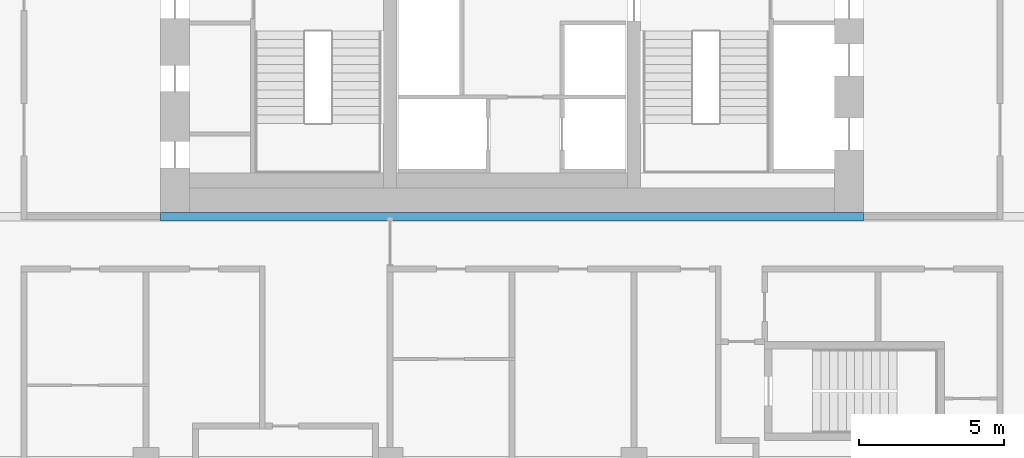
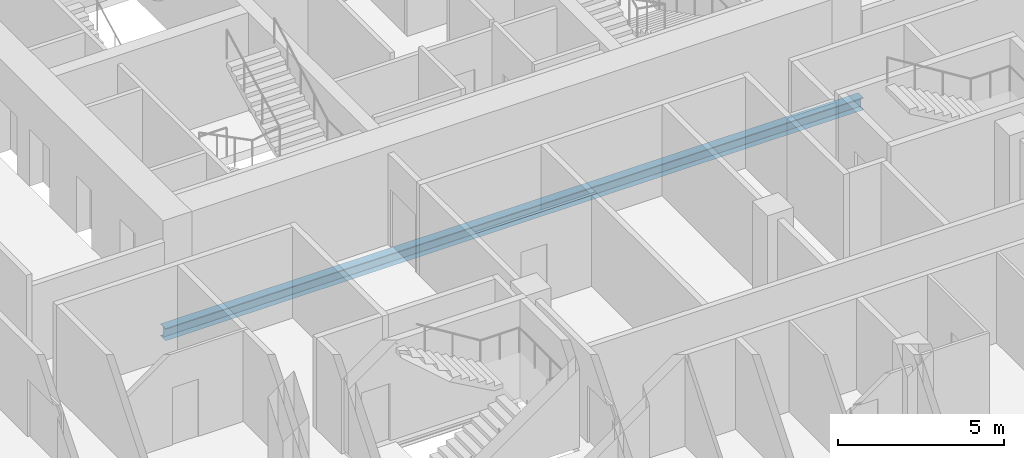
# One storey, part 5 of 23: 1 beam.
"""IFC4 building model written with IfcOpenShell, lengths in metres."""

from ifc_helpers import new_model, si_unit, direction, frame, origin, origin_2d, place, context, subcontext, project, spatial, i_section, extrude, material, material_profile, profile_set, type_object, element, save


model = new_model("IFC4")

# Units and contexts
model_context = context("Model", 3, precision=1e-05, world=origin(), true_north=direction((0.0, 1.0)))
body_context = subcontext(model_context, "Body", "Model", "MODEL_VIEW")
ifc_project = project(units=[si_unit("LENGTHUNIT", "METRE"), si_unit("AREAUNIT", "SQUARE_METRE"), si_unit("VOLUMEUNIT", "CUBIC_METRE"), si_unit("PLANEANGLEUNIT", "RADIAN"), si_unit("MASSUNIT", "GRAM", prefix="KILO")], contexts=[model_context])

# Site, building, storey
site_placement = place(None, origin())
site = spatial("IfcSite", under=ifc_project, at=site_placement, CompositionType="ELEMENT")
building_placement = place(site_placement, origin())
building = spatial("IfcBuilding", under=site, at=building_placement, Name="Marenta Gate Hotel Tower", CompositionType="ELEMENT")
storey_placement = place(building_placement, frame((0.0, 0.0, 126.5)))
storey = spatial("IfcBuildingStorey", under=building, at=storey_placement, Name="L28", CompositionType="ELEMENT", Elevation=126.5)

# Beam
ifc_material = material(Name="Steel S355", Category="steel")
ifc_material_profile = material_profile(ifc_material, i_section(OverallWidth=0.300048828125, OverallDepth=0.449951171875, WebThickness=0.013916015625, FlangeThickness=0.02587890625, FilletRadius=0.027099609375, at=origin_2d()), Name="HEB 450")
ifc_profile_set = profile_set([ifc_material_profile], Name="Steel S355")
beam_type = type_object("IfcBeamType", Name="Girder HEB 450", PredefinedType="BEAM", material=ifc_profile_set)
beam_placement = place(storey_placement, frame((-12.10009765625, 0.0, -0.485107421875), z_axis=(1.0, 0.0, 0.0), x_axis=(0.0, 1.0, 0.0)))
element("IfcBeam", 1, at=beam_placement, inside=storey, type_object=beam_type, Name="L28-GD-17", PredefinedType="BEAM", context=body_context, shape_type="SweptSolid", body=[
    extrude(i_section(OverallWidth=0.300048828125, OverallDepth=0.449951171875, WebThickness=0.013916015625, FlangeThickness=0.02587890625, FilletRadius=0.027099609375, at=origin_2d()), origin(), (0.0, 0.0, 1.0), 24.2001953125),
])

save(model, "model.ifc")
